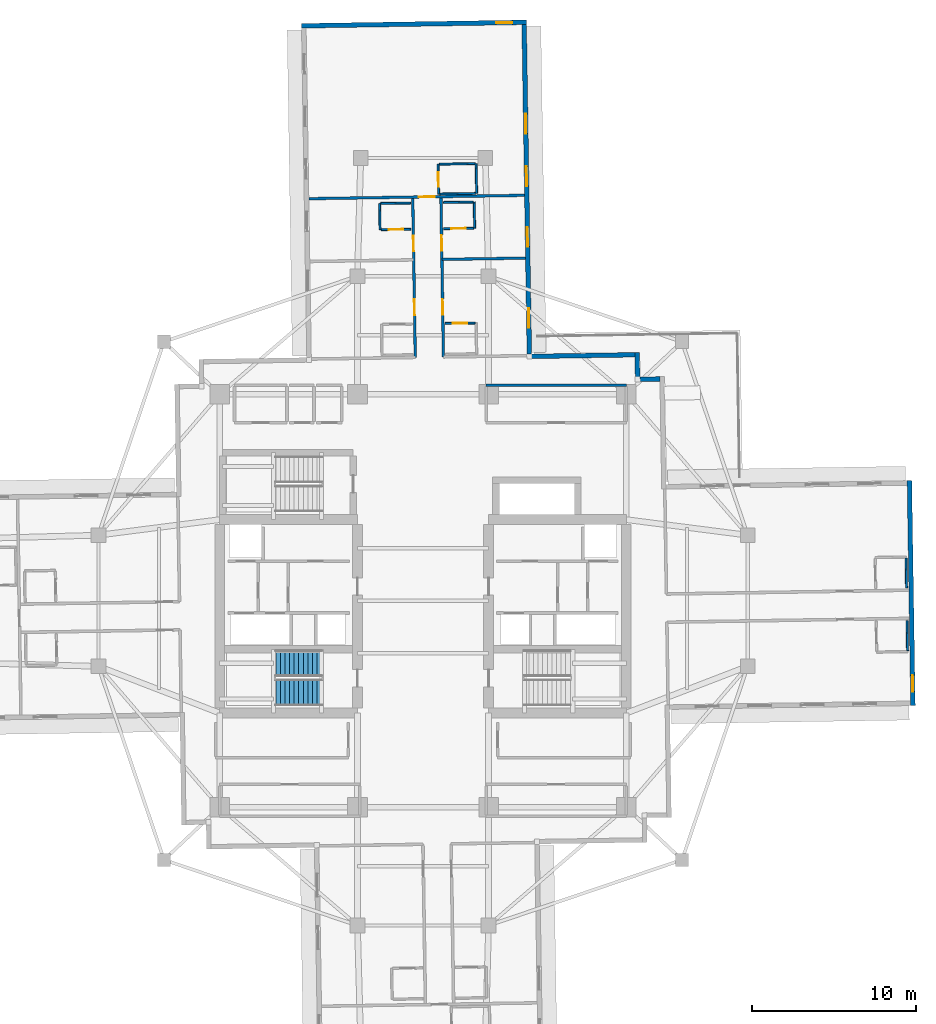
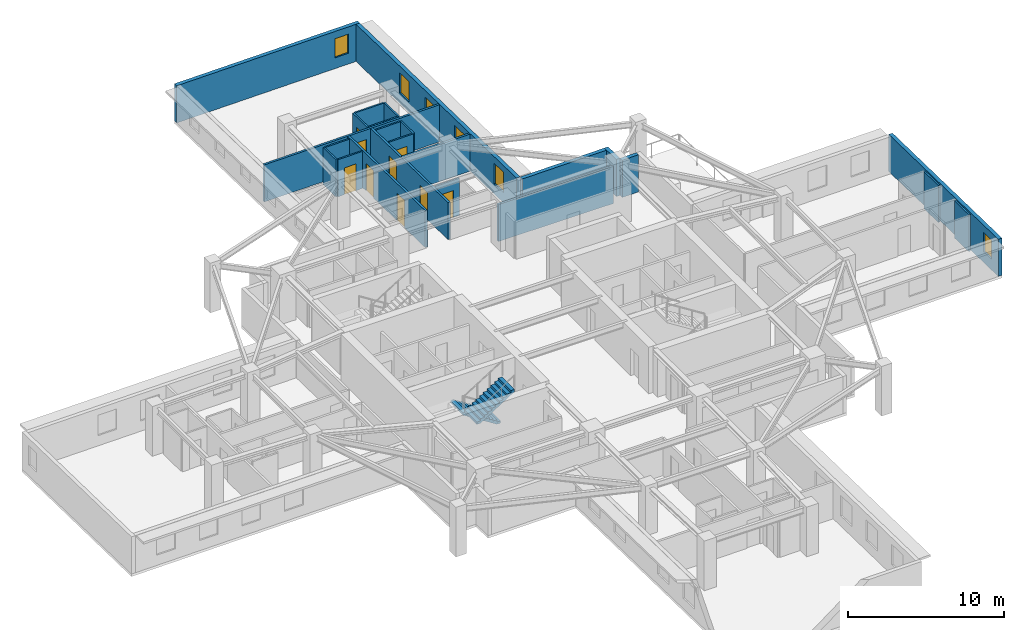
# One storey, part 7 of 13: 24 walls, 9 doors, 6 windows, 2 stair flights, 15 openings, 1 element without a shape of its own.
"""IFC4 building model written with IfcOpenShell, lengths in metres."""

from ifc_helpers import new_model, si_unit, direction, frame, frame_2d, origin, place, context, subcontext, project, spatial, polyline, rectangle, outline, extrude, material, layer, layer_set, type_object, element, fill, aggregate, save


model = new_model("IFC4")

# Units and contexts
model_context = context("Model", 3, precision=1e-05, world=origin(), true_north=direction((0.0, 1.0)))
body_context = subcontext(model_context, "Body", "Model", "MODEL_VIEW")
ifc_project = project(units=[si_unit("LENGTHUNIT", "METRE"), si_unit("AREAUNIT", "SQUARE_METRE"), si_unit("VOLUMEUNIT", "CUBIC_METRE"), si_unit("PLANEANGLEUNIT", "RADIAN"), si_unit("MASSUNIT", "GRAM", prefix="KILO")], contexts=[model_context])

# Site, building, storey
site_placement = place(None, origin())
site = spatial("IfcSite", under=ifc_project, at=site_placement, CompositionType="ELEMENT")
building_placement = place(site_placement, origin())
building = spatial("IfcBuilding", under=site, at=building_placement, Name="Qingluan Cross Belvedere", CompositionType="ELEMENT")
storey_placement = place(building_placement, frame((0.0, 0.0, 187.800048828125)))
storey = spatial("IfcBuildingStorey", under=building, at=storey_placement, Name="L47", CompositionType="ELEMENT", Elevation=187.800048828125)

# Wall
ifc_material_1 = material(Name="Gypsum plasterboard on steel stud acoustic partition", Category="steel")
ifc_layer_1 = layer(ifc_material_1, 0.159912109375, Name="CorridorPartition_160")
ifc_layer_set_1 = layer_set([ifc_layer_1], Name="Gypsum plasterboard on steel stud acoustic partition")
wall_type_1 = type_object("IfcWallType", Name="CorridorPartition_160", PredefinedType="PARTITIONING", material=ifc_layer_set_1)
wall_1_placement = place(storey_placement, frame((3.85009765625, 13.14990234375, 0.0), z_axis=(0.0, 0.0, 1.0), x_axis=(1.0, 0.0, 0.0)))
element("IfcWall", 1, at=wall_1_placement, inside=storey, type_object=wall_type_1, Name="Partition L47:q_ne:N", PredefinedType="PARTITIONING", context=body_context, shape_type="SweptSolid", body=[
    extrude(rectangle(XDim=8.5498046875, YDim=0.159912109375, at=frame_2d((4.27490234375, 0.0))), origin(), (0.0, 0.0, 1.0), 2.909912109375),
])

# Wall, openings, doors
wall_2_placement = place(storey_placement, frame((1.24658203125, 14.871337890625, 0.0), z_axis=(0.0, 0.0, 1.0), x_axis=(-0.015705264399, 0.999876664729, 0.0)))
wall_2 = element("IfcWall", 2, at=wall_2_placement, inside=storey, type_object=wall_type_1, Name="Partition L47:N:c0", PredefinedType="PARTITIONING", context=body_context, shape_type="SweptSolid", body=[
    extrude(rectangle(XDim=9.7001953125, YDim=0.159912109375, at=frame_2d((4.85009765625, 0.0))), origin(), (0.0, 0.0, 1.0), 2.909912109375),
])
opening_1_placement = place(wall_2_placement, frame((2.574951171875, 0.0, 0.0)))
opening_1 = element("IfcOpeningElement", 3, at=opening_1_placement, cuts=wall_2, Name="Opening GD-10", PredefinedType="OPENING", context=body_context, shape_type="SweptSolid", body=[
    extrude(rectangle(XDim=0.9599609375, YDim=2.14990234375, at=frame_2d((0.47998046875, 1.074951171875))), frame((0.0, 0.08984375, 0.0), z_axis=(0.0, -1.0, 0.0), x_axis=(1.0, 0.0, 0.0)), (0.0, 0.0, 1.0), 0.179931640625),
])
opening_2_placement = place(wall_2_placement, frame((6.467041015625, 0.0, 0.0)))
opening_2 = element("IfcOpeningElement", 4, at=opening_2_placement, cuts=wall_2, Name="Opening GD-10", PredefinedType="OPENING", context=body_context, shape_type="SweptSolid", body=[
    extrude(rectangle(XDim=0.9599609375, YDim=2.14990234375, at=frame_2d((0.47998046875, 1.074951171875))), frame((0.0, 0.08984375, 0.0), z_axis=(0.0, -1.0, 0.0), x_axis=(1.0, 0.0, 0.0)), (0.0, 0.0, 1.0), 0.179931640625),
])
ifc_material_2 = material(Name="Timber oak fire-rated acoustic guestroom door", Category="wood")
door_type_1 = type_object("IfcDoorType", Name="GuestEntryDoor_FD60", OperationType="NOTDEFINED", PredefinedType="DOOR", material=ifc_material_2)
door_1_placement = place(opening_1_placement, origin())
door_1 = element("IfcDoor", 5, at=door_1_placement, inside=storey, type_object=door_type_1, Name="Guest entry fire door 4705", OperationType="SINGLE_SWING_RIGHT", OverallHeight=2.14990234375, OverallWidth=0.9599609375, PredefinedType="DOOR", context=body_context, shape_type="SweptSolid", body=[
    extrude(rectangle(XDim=0.9599609375, YDim=2.14990234375, at=frame_2d((0.47998046875, 1.074951171875))), frame((0.0, 0.02490234375, 0.0), z_axis=(0.0, -1.0, 0.0), x_axis=(1.0, 0.0, 0.0)), (0.0, 0.0, 1.0), 0.050048828125),
])
fill(opening_1, door_1)
door_2_placement = place(opening_2_placement, origin())
door_2 = element("IfcDoor", 6, at=door_2_placement, inside=storey, type_object=door_type_1, Name="Guest entry fire door 4706", OperationType="SINGLE_SWING_RIGHT", OverallHeight=2.14990234375, OverallWidth=0.9599609375, PredefinedType="DOOR", context=body_context, shape_type="SweptSolid", body=[
    extrude(rectangle(XDim=0.9599609375, YDim=2.14990234375, at=frame_2d((0.47998046875, 1.074951171875))), frame((0.0, 0.02490234375, 0.0), z_axis=(0.0, -1.0, 0.0), x_axis=(1.0, 0.0, 0.0)), (0.0, 0.0, 1.0), 0.050048828125),
])
fill(opening_2, door_2)

# Wall
wall_3_placement = place(storey_placement, frame((1.153076171875, 20.82080078125, 0.0), z_axis=(0.0, 0.0, 1.0), x_axis=(0.999877084488, 0.015678517629, 0.0)))
element("IfcWall", 7, at=wall_3_placement, inside=storey, type_object=wall_type_1, Name="Partition L47:N:d0_0", PredefinedType="PARTITIONING", context=body_context, shape_type="SweptSolid", body=[
    extrude(rectangle(XDim=5.092041015625, YDim=0.159912109375, at=frame_2d((2.5458984375, 0.0))), origin(), (0.0, 0.0, 1.0), 2.909912109375),
])

# Wall, openings, doors
wall_4_placement = place(storey_placement, frame((-0.47314453125, 14.844482421875, 0.0), z_axis=(0.0, 0.0, 1.0), x_axis=(-0.015705659641, 0.999876658521, 0.0)))
wall_4 = element("IfcWall", 8, at=wall_4_placement, inside=storey, type_object=wall_type_1, Name="Partition L47:N:c1", PredefinedType="PARTITIONING", context=body_context, shape_type="SweptSolid", body=[
    extrude(rectangle(XDim=9.699951171875, YDim=0.159912109375, at=frame_2d((4.85009765625, 0.0))), origin(), (0.0, 0.0, 1.0), 2.909912109375),
])
opening_3_placement = place(wall_4_placement, frame((2.574951171875, 0.0, 0.0)))
opening_3 = element("IfcOpeningElement", 9, at=opening_3_placement, cuts=wall_4, Name="Opening GD-10", PredefinedType="OPENING", context=body_context, shape_type="SweptSolid", body=[
    extrude(rectangle(XDim=0.9599609375, YDim=2.14990234375, at=frame_2d((0.47998046875, 1.074951171875))), frame((0.0, 0.08984375, 0.0), z_axis=(0.0, -1.0, 0.0), x_axis=(1.0, 0.0, 0.0)), (0.0, 0.0, 1.0), 0.179931640625),
])
opening_4_placement = place(wall_4_placement, frame((6.467041015625, 0.0, 0.0)))
opening_4 = element("IfcOpeningElement", 10, at=opening_4_placement, cuts=wall_4, Name="Opening GD-10", PredefinedType="OPENING", context=body_context, shape_type="SweptSolid", body=[
    extrude(rectangle(XDim=0.9599609375, YDim=2.14990234375, at=frame_2d((0.47998046875, 1.074951171875))), frame((0.0, 0.08984375, 0.0), z_axis=(0.0, -1.0, 0.0), x_axis=(1.0, 0.0, 0.0)), (0.0, 0.0, 1.0), 0.179931640625),
])
door_3_placement = place(opening_3_placement, origin())
door_3 = element("IfcDoor", 11, at=door_3_placement, inside=storey, type_object=door_type_1, Name="Guest entry fire door 4707", OperationType="SINGLE_SWING_RIGHT", OverallHeight=2.14990234375, OverallWidth=0.9599609375, PredefinedType="DOOR", context=body_context, shape_type="SweptSolid", body=[
    extrude(rectangle(XDim=0.9599609375, YDim=2.14990234375, at=frame_2d((0.47998046875, 1.074951171875))), frame((0.0, 0.02490234375, 0.0), z_axis=(0.0, -1.0, 0.0), x_axis=(1.0, 0.0, 0.0)), (0.0, 0.0, 1.0), 0.050048828125),
])
fill(opening_3, door_3)
door_4_placement = place(opening_4_placement, origin())
door_4 = element("IfcDoor", 12, at=door_4_placement, inside=storey, type_object=door_type_1, Name="Guest entry fire door 4708", OperationType="SINGLE_SWING_RIGHT", OverallHeight=2.14990234375, OverallWidth=0.9599609375, PredefinedType="DOOR", context=body_context, shape_type="SweptSolid", body=[
    extrude(rectangle(XDim=0.9599609375, YDim=2.14990234375, at=frame_2d((0.47998046875, 1.074951171875))), frame((0.0, 0.02490234375, 0.0), z_axis=(0.0, -1.0, 0.0), x_axis=(1.0, 0.0, 0.0)), (0.0, 0.0, 1.0), 0.050048828125),
])
fill(opening_4, door_4)

# Wall, opening, door
wall_5_placement = place(storey_placement, frame((-6.9580078125, 24.523681640625, 0.0), z_axis=(0.0, 0.0, 1.0), x_axis=(0.999876528878, 0.015713911007, 0.0)))
wall_5 = element("IfcWall", 13, at=wall_5_placement, inside=storey, type_object=wall_type_1, Name="Partition L47:Ncap:in", PredefinedType="PARTITIONING", context=body_context, shape_type="SweptSolid", body=[
    extrude(rectangle(XDim=13.14404296875, YDim=0.159912109375, at=frame_2d((6.572021484375, 0.0))), origin(), (0.0, 0.0, 1.0), 2.909912109375),
])
opening_5_placement = place(wall_5_placement, frame((6.7119140625, 0.0, 0.0)))
opening_5 = element("IfcOpeningElement", 14, at=opening_5_placement, cuts=wall_5, Name="Opening GD-10", PredefinedType="OPENING", context=body_context, shape_type="SweptSolid", body=[
    extrude(rectangle(XDim=0.9599609375, YDim=2.14990234375, at=frame_2d((0.47998046875, 1.074951171875))), frame((0.0, 0.08984375, 0.0), z_axis=(0.0, -1.0, 0.0), x_axis=(1.0, 0.0, 0.0)), (0.0, 0.0, 1.0), 0.179931640625),
])
door_5_placement = place(opening_5_placement, origin())
door_5 = element("IfcDoor", 15, at=door_5_placement, inside=storey, type_object=door_type_1, Name="Presidential suite entrance door L47N", OperationType="SINGLE_SWING_LEFT", OverallHeight=2.14990234375, OverallWidth=0.9599609375, PredefinedType="DOOR", context=body_context, shape_type="SweptSolid", body=[
    extrude(rectangle(XDim=0.9599609375, YDim=2.14990234375, at=frame_2d((0.47998046875, 1.074951171875))), frame((0.0, 0.02490234375, 0.0), z_axis=(0.0, -1.0, 0.0), x_axis=(1.0, 0.0, 0.0)), (0.0, 0.0, 1.0), 0.050048828125),
])
fill(opening_5, door_5)

# Walls
ifc_material_3 = material(Name="Moisture-resistant gypsum board lining")
ifc_layer_2 = layer(ifc_material_3, 0.1201171875, Name="EnsuiteWetPartition_120")
ifc_layer_set_2 = layer_set([ifc_layer_2], Name="Moisture-resistant gypsum board lining")
wall_type_2 = type_object("IfcWallType", Name="EnsuiteWetPartition_120", PredefinedType="PARTITIONING", material=ifc_layer_set_2)
for number, where, z_axis, x_axis, name in (
    (16, (29.4912109375, 0.783203125, 0.0), (0.0, 0.0, 1.0), (-0.015694337248, 0.999876836305, 0.0), "Partition L47:E:bw0_0"),
    (17, (29.55126953125, -3.0361328125, 0.0), (0.0, 0.0, 1.0), (-0.015694337248, 0.999876836305, 0.0), "Partition L47:E:bw1_0"),
):
    element("IfcWall", number, at=place(storey_placement, frame(where, z_axis=z_axis, x_axis=x_axis)), inside=storey, type_object=wall_type_2, Name=name, PredefinedType="PARTITIONING", context=body_context, shape_type="SweptSolid", body=[
        extrude(rectangle(XDim=1.820068359375, YDim=0.1201171875, at=frame_2d((0.91015625, 0.0))), origin(), (0.0, 0.0, 1.0), 2.909912109375),
    ])

# Wall, opening, door
wall_6_placement = place(storey_placement, frame((1.3544921875, 16.913330078125, 0.0), z_axis=(0.0, 0.0, 1.0), x_axis=(0.999876836305, 0.015694337248, 0.0)))
wall_6 = element("IfcWall", 18, at=wall_6_placement, inside=storey, type_object=wall_type_2, Name="Partition L47:N:bs0_0", PredefinedType="PARTITIONING", context=body_context, shape_type="SweptSolid", body=[
    extrude(rectangle(XDim=1.820068359375, YDim=0.1201171875, at=frame_2d((0.91015625, 0.0))), origin(), (0.0, 0.0, 1.0), 2.909912109375),
])
opening_6_placement = place(wall_6_placement, frame((0.469970703125, 0.0, 0.0)))
opening_6 = element("IfcOpeningElement", 19, at=opening_6_placement, cuts=wall_6, Name="Opening BD-09", PredefinedType="OPENING", context=body_context, shape_type="SweptSolid", body=[
    extrude(rectangle(XDim=0.8798828125, YDim=2.10009765625, at=frame_2d((0.43994140625, 1.050048828125))), frame((0.0, 0.070068359375, 0.0), z_axis=(0.0, -1.0, 0.0), x_axis=(1.0, 0.0, 0.0)), (0.0, 0.0, 1.0), 0.14013671875),
])
ifc_material_4 = material(Name="Moisture-sealed timber en-suite door", Category="wood")
door_type_2 = type_object("IfcDoorType", Name="BathroomDoor_880", OperationType="NOTDEFINED", PredefinedType="DOOR", material=ifc_material_4)
door_6_placement = place(opening_6_placement, origin())
door_6 = element("IfcDoor", 20, at=door_6_placement, inside=storey, type_object=door_type_2, Name="Bathroom door 4705", OperationType="SINGLE_SWING_LEFT", OverallHeight=2.10009765625, OverallWidth=0.8798828125, PredefinedType="DOOR", context=body_context, shape_type="SweptSolid", body=[
    extrude(rectangle(XDim=0.8798828125, YDim=2.10009765625, at=frame_2d((0.43994140625, 1.050048828125))), frame((0.0, 0.02490234375, 0.0), z_axis=(0.0, -1.0, 0.0), x_axis=(1.0, 0.0, 0.0)), (0.0, 0.0, 1.0), 0.050048828125),
])
fill(opening_6, door_6)

wall_7_placement = place(storey_placement, frame((1.263671875, 22.692626953125, 0.0), z_axis=(0.0, 0.0, 1.0), x_axis=(0.999876836305, 0.015694337248, 0.0)))
wall_7 = element("IfcWall", 21, at=wall_7_placement, inside=storey, type_object=wall_type_2, Name="Partition L47:N:bs0_1", PredefinedType="PARTITIONING", context=body_context, shape_type="SweptSolid", body=[
    extrude(rectangle(XDim=1.820068359375, YDim=0.1201171875, at=frame_2d((0.91015625, 0.0))), origin(), (0.0, 0.0, 1.0), 2.909912109375),
])
opening_7_placement = place(wall_7_placement, frame((0.469970703125, 0.0, 0.0)))
opening_7 = element("IfcOpeningElement", 22, at=opening_7_placement, cuts=wall_7, Name="Opening BD-09", PredefinedType="OPENING", context=body_context, shape_type="SweptSolid", body=[
    extrude(rectangle(XDim=0.8798828125, YDim=2.10009765625, at=frame_2d((0.43994140625, 1.050048828125))), frame((0.0, 0.070068359375, 0.0), z_axis=(0.0, -1.0, 0.0), x_axis=(1.0, 0.0, 0.0)), (0.0, 0.0, 1.0), 0.14013671875),
])
door_7_placement = place(opening_7_placement, origin())
door_7 = element("IfcDoor", 23, at=door_7_placement, inside=storey, type_object=door_type_2, Name="Bathroom door 4706", OperationType="SINGLE_SWING_LEFT", OverallHeight=2.10009765625, OverallWidth=0.8798828125, PredefinedType="DOOR", context=body_context, shape_type="SweptSolid", body=[
    extrude(rectangle(XDim=0.8798828125, YDim=2.10009765625, at=frame_2d((0.43994140625, 1.050048828125))), frame((0.0, 0.02490234375, 0.0), z_axis=(0.0, -1.0, 0.0), x_axis=(1.0, 0.0, 0.0)), (0.0, 0.0, 1.0), 0.050048828125),
])
fill(opening_7, door_7)

# Walls
wall_8_placement = place(storey_placement, frame((1.238525390625, 24.29248046875, 0.0), z_axis=(0.0, 0.0, 1.0), x_axis=(0.999876836305, 0.015694337248, 0.0)))
element("IfcWall", 24, at=wall_8_placement, inside=storey, type_object=wall_type_2, Name="Partition L47:N:bw0_1", PredefinedType="PARTITIONING", context=body_context, shape_type="SweptSolid", body=[
    extrude(rectangle(XDim=1.820068359375, YDim=0.1201171875, at=frame_2d((0.91015625, 0.0))), origin(), (0.0, 0.0, 1.0), 2.909912109375),
])
wall_9_placement = place(storey_placement, frame((3.1484375, 22.722412109375, 0.0), z_axis=(0.0, 0.0, 1.0), x_axis=(-0.015718448585, 0.999876457556, 0.0)))
element("IfcWall", 25, at=wall_9_placement, inside=storey, type_object=wall_type_2, Name="Partition L47:N:bn0_1", PredefinedType="PARTITIONING", context=body_context, shape_type="SweptSolid", body=[
    extrude(rectangle(XDim=1.599853515625, YDim=0.1201171875, at=frame_2d((0.7998046875, 0.0))), origin(), (0.0, 0.0, 1.0), 2.909912109375),
])

# Wall, opening, door
wall_10_placement = place(storey_placement, frame((-2.555908203125, 22.632568359375, 0.0), z_axis=(0.0, 0.0, 1.0), x_axis=(0.999876836305, 0.015694337248, 0.0)))
wall_10 = element("IfcWall", 26, at=wall_10_placement, inside=storey, type_object=wall_type_2, Name="Partition L47:N:bs1_1", PredefinedType="PARTITIONING", context=body_context, shape_type="SweptSolid", body=[
    extrude(rectangle(XDim=1.820068359375, YDim=0.1201171875, at=frame_2d((0.91015625, 0.0))), origin(), (0.0, 0.0, 1.0), 2.909912109375),
])
opening_8_placement = place(wall_10_placement, frame((0.469970703125, 0.0, 0.0)))
opening_8 = element("IfcOpeningElement", 27, at=opening_8_placement, cuts=wall_10, Name="Opening BD-09", PredefinedType="OPENING", context=body_context, shape_type="SweptSolid", body=[
    extrude(rectangle(XDim=0.8798828125, YDim=2.10009765625, at=frame_2d((0.43994140625, 1.050048828125))), frame((0.0, 0.070068359375, 0.0), z_axis=(0.0, -1.0, 0.0), x_axis=(1.0, 0.0, 0.0)), (0.0, 0.0, 1.0), 0.14013671875),
])
door_8_placement = place(opening_8_placement, origin())
door_8 = element("IfcDoor", 28, at=door_8_placement, inside=storey, type_object=door_type_2, Name="Bathroom door 4708", OperationType="SINGLE_SWING_LEFT", OverallHeight=2.10009765625, OverallWidth=0.8798828125, PredefinedType="DOOR", context=body_context, shape_type="SweptSolid", body=[
    extrude(rectangle(XDim=0.8798828125, YDim=2.10009765625, at=frame_2d((0.43994140625, 1.050048828125))), frame((0.0, 0.02490234375, 0.0), z_axis=(0.0, -1.0, 0.0), x_axis=(1.0, 0.0, 0.0)), (0.0, 0.0, 1.0), 0.050048828125),
])
fill(opening_8, door_8)

# Walls
wall_11_placement = place(storey_placement, frame((-2.580810546875, 24.232421875, 0.0), z_axis=(0.0, 0.0, 1.0), x_axis=(0.999876803258, 0.015696442504, 0.0)))
element("IfcWall", 29, at=wall_11_placement, inside=storey, type_object=wall_type_2, Name="Partition L47:N:bw1_1", PredefinedType="PARTITIONING", context=body_context, shape_type="SweptSolid", body=[
    extrude(rectangle(XDim=1.81982421875, YDim=0.1201171875, at=frame_2d((0.909912109375, 0.0))), origin(), (0.0, 0.0, 1.0), 2.909912109375),
])
wall_12_placement = place(storey_placement, frame((-2.620849609375, 22.631591796875, 0.0), z_axis=(0.0, 0.0, 1.0), x_axis=(-0.015716050513, 0.999876495251, 0.0)))
element("IfcWall", 30, at=wall_12_placement, inside=storey, type_object=wall_type_2, Name="Partition L47:N:bc1_1", PredefinedType="PARTITIONING", context=body_context, shape_type="SweptSolid", body=[
    extrude(rectangle(XDim=1.60009765625, YDim=0.1201171875, at=frame_2d((0.800048828125, 0.0))), origin(), (0.0, 0.0, 1.0), 2.909912109375),
])

# Wall, opening, door
wall_13_placement = place(storey_placement, frame((0.950439453125, 24.80810546875, 0.0), z_axis=(0.0, 0.0, 1.0), x_axis=(-0.015696442504, 0.999876803258, 0.0)))
wall_13 = element("IfcWall", 31, at=wall_13_placement, inside=storey, type_object=wall_type_2, Name="Partition L47:Ncap:bs", PredefinedType="PARTITIONING", context=body_context, shape_type="SweptSolid", body=[
    extrude(rectangle(XDim=1.81982421875, YDim=0.1201171875, at=frame_2d((0.909912109375, 0.0))), origin(), (0.0, 0.0, 1.0), 2.909912109375),
])
opening_9_placement = place(wall_13_placement, frame((0.449951171875, 0.0, 0.0)))
opening_9 = element("IfcOpeningElement", 32, at=opening_9_placement, cuts=wall_13, Name="Opening BD-09", PredefinedType="OPENING", context=body_context, shape_type="SweptSolid", body=[
    extrude(rectangle(XDim=0.8798828125, YDim=2.10009765625, at=frame_2d((0.43994140625, 1.050048828125))), frame((0.0, 0.070068359375, 0.0), z_axis=(0.0, -1.0, 0.0), x_axis=(1.0, 0.0, 0.0)), (0.0, 0.0, 1.0), 0.14013671875),
])
door_9_placement = place(opening_9_placement, origin())
door_9 = element("IfcDoor", 33, at=door_9_placement, inside=storey, type_object=door_type_2, Name="En-suite bathroom door L47N", OperationType="SINGLE_SWING_RIGHT", OverallHeight=2.10009765625, OverallWidth=0.8798828125, PredefinedType="DOOR", context=body_context, shape_type="SweptSolid", body=[
    extrude(rectangle(XDim=0.8798828125, YDim=2.10009765625, at=frame_2d((0.43994140625, 1.050048828125))), frame((0.0, 0.02490234375, 0.0), z_axis=(0.0, -1.0, 0.0), x_axis=(1.0, 0.0, 0.0)), (0.0, 0.0, 1.0), 0.050048828125),
])
fill(opening_9, door_9)

# Walls
wall_14_placement = place(storey_placement, frame((3.270263671875, 24.844482421875, 0.0), z_axis=(0.0, 0.0, 1.0), x_axis=(-0.015694337248, 0.999876836305, 0.0)))
element("IfcWall", 34, at=wall_14_placement, inside=storey, type_object=wall_type_2, Name="Partition L47:Ncap:bb", PredefinedType="PARTITIONING", context=body_context, shape_type="SweptSolid", body=[
    extrude(rectangle(XDim=1.820068359375, YDim=0.1201171875, at=frame_2d((0.91015625, 0.0))), origin(), (0.0, 0.0, 1.0), 2.909912109375),
])
for number, where, z_axis, x_axis, name in (
    (35, (1.0205078125, 24.80908203125, 0.0), (0.0, 0.0, 1.0), (0.999877075733, 0.015679076008, 0.0), "Partition L47:Ncap:ba"),
    (36, (0.991943359375, 26.62890625, 0.0), (0.0, 0.0, 1.0), (0.999877075733, 0.015679076008, 0.0), "Partition L47:Ncap:bn"),
):
    element("IfcWall", number, at=place(storey_placement, frame(where, z_axis=z_axis, x_axis=x_axis)), inside=storey, type_object=wall_type_2, Name=name, PredefinedType="PARTITIONING", context=body_context, shape_type="SweptSolid", body=[
        extrude(rectangle(XDim=2.179931640625, YDim=0.1201171875, at=frame_2d((1.08984375, 0.0))), origin(), (0.0, 0.0, 1.0), 2.909912109375),
    ])

# Wall, opening, window
ifc_material_5 = material(Name="Precast concrete C45", Category="concrete")
ifc_layer_3 = layer(ifc_material_5, 0.280029296875, Name="PrecastFacadeWall_280")
ifc_layer_set_3 = layer_set([ifc_layer_3], Name="Precast concrete C45")
wall_type_3 = type_object("IfcWallType", Name="PrecastFacadeWall_280", PredefinedType="STANDARD", material=ifc_layer_set_3)
wall_15_placement = place(storey_placement, frame((29.884033203125, -6.391357421875, 0.0), z_axis=(0.0, 0.0, 1.0), x_axis=(-0.015694809807, 0.999876828887, 0.0)))
wall_15 = element("IfcWall", 37, at=wall_15_placement, inside=storey, type_object=wall_type_3, Name="Arm tip precast facade wall L47-E", PredefinedType="STANDARD", context=body_context, shape_type="SweptSolid", body=[
    extrude(rectangle(XDim=13.719970703125, YDim=0.280029296875, at=frame_2d((6.85986328125, 0.0))), origin(), (0.0, 0.0, 1.0), 2.919921875),
])
opening_10_placement = place(wall_15_placement, frame((0.85009765625, 0.0, 0.85009765625)))
opening_10 = element("IfcOpeningElement", 38, at=opening_10_placement, cuts=wall_15, Name="Opening W-03", PredefinedType="OPENING", context=body_context, shape_type="SweptSolid", body=[
    extrude(rectangle(XDim=1.0, YDim=1.5, at=frame_2d((0.5, 0.75))), frame((0.0, 0.14990234375, 0.0), z_axis=(0.0, -1.0, 0.0), x_axis=(1.0, 0.0, 0.0)), (0.0, 0.0, 1.0), 0.300048828125),
])
ifc_material_6 = material(Name="Thermally broken triple Low-E glass in aluminium frame", Category="aluminium")
window_type_1 = type_object("IfcWindowType", Name="TriApexWin_1000x1500", PartitioningType="SINGLE_PANEL", PredefinedType="WINDOW", material=ifc_material_6)
window_1_placement = place(opening_10_placement, origin())
window_1 = element("IfcWindow", 39, at=window_1_placement, inside=storey, type_object=window_type_1, Name="Arm tip triangular window L47-E", OverallHeight=1.5, OverallWidth=1.0, PartitioningType="SINGLE_PANEL", PredefinedType="WINDOW", context=body_context, shape_type="SweptSolid", body=[
    extrude(rectangle(XDim=1.0, YDim=1.5, at=frame_2d((0.5, 0.75))), frame((0.0, 0.030029296875, 0.0), z_axis=(0.0, -1.0, 0.0), x_axis=(1.0, 0.0, 0.0)), (0.0, 0.0, 1.0), 0.06005859375),
])
fill(opening_10, window_1)

# Wall, openings, windows
wall_16_placement = place(storey_placement, frame((6.484619140625, 15.043701171875, 0.0), z_axis=(0.0, 0.0, 1.0), x_axis=(-0.01571739401, 0.999876474133, 0.0)))
wall_16 = element("IfcWall", 40, at=wall_16_placement, inside=storey, type_object=wall_type_3, Name="Facade wall L47-NA", PredefinedType="STANDARD", context=body_context, shape_type="SweptSolid", body=[
    extrude(rectangle(XDim=20.099853515625, YDim=0.280029296875, at=frame_2d((10.0498046875, 0.0))), origin(), (0.0, 0.0, 1.0), 2.919921875),
])
opening_11_placement = place(wall_16_placement, frame((1.60009765625, 0.0, 0.800048828125)))
opening_11 = element("IfcOpeningElement", 41, at=opening_11_placement, cuts=wall_16, Name="Opening W-02", PredefinedType="OPENING", context=body_context, shape_type="SweptSolid", body=[
    extrude(rectangle(XDim=1.199951171875, YDim=1.60009765625, at=frame_2d((0.60009765625, 0.800048828125))), frame((0.0, 0.14990234375, 0.0), z_axis=(0.0, -1.0, 0.0), x_axis=(1.0, 0.0, 0.0)), (0.0, 0.0, 1.0), 0.300048828125),
])
opening_12_placement = place(wall_16_placement, frame((6.550048828125, 0.0, 0.800048828125)))
opening_12 = element("IfcOpeningElement", 42, at=opening_12_placement, cuts=wall_16, Name="Opening W-02", PredefinedType="OPENING", context=body_context, shape_type="SweptSolid", body=[
    extrude(rectangle(XDim=1.199951171875, YDim=1.60009765625, at=frame_2d((0.60009765625, 0.800048828125))), frame((0.0, 0.14990234375, 0.0), z_axis=(0.0, -1.0, 0.0), x_axis=(1.0, 0.0, 0.0)), (0.0, 0.0, 1.0), 0.300048828125),
])
opening_13_placement = place(wall_16_placement, frame((10.25, 0.0, 0.800048828125)))
opening_13 = element("IfcOpeningElement", 43, at=opening_13_placement, cuts=wall_16, Name="Opening W-02", PredefinedType="OPENING", context=body_context, shape_type="SweptSolid", body=[
    extrude(rectangle(XDim=1.199951171875, YDim=1.60009765625, at=frame_2d((0.60009765625, 0.800048828125))), frame((0.0, 0.14990234375, 0.0), z_axis=(0.0, -1.0, 0.0), x_axis=(1.0, 0.0, 0.0)), (0.0, 0.0, 1.0), 0.300048828125),
])
opening_14_placement = place(wall_16_placement, frame((13.449951171875, 0.0, 0.800048828125)))
opening_14 = element("IfcOpeningElement", 44, at=opening_14_placement, cuts=wall_16, Name="Opening W-02", PredefinedType="OPENING", context=body_context, shape_type="SweptSolid", body=[
    extrude(rectangle(XDim=1.199951171875, YDim=1.60009765625, at=frame_2d((0.60009765625, 0.800048828125))), frame((0.0, 0.14990234375, 0.0), z_axis=(0.0, -1.0, 0.0), x_axis=(1.0, 0.0, 0.0)), (0.0, 0.0, 1.0), 0.300048828125),
])
ifc_material_7 = material(Name="Thermally broken triple Low-E glass in aluminium frame", Category="aluminium")
window_type_2 = type_object("IfcWindowType", Name="TriRibbonWin_1200x1600", PartitioningType="SINGLE_PANEL", PredefinedType="WINDOW", material=ifc_material_7)
window_2_placement = place(opening_11_placement, origin())
window_2 = element("IfcWindow", 45, at=window_2_placement, inside=storey, type_object=window_type_2, Name="Ribbon window L47-NA-1", OverallHeight=1.60009765625, OverallWidth=1.199951171875, PartitioningType="SINGLE_PANEL", PredefinedType="WINDOW", context=body_context, shape_type="SweptSolid", body=[
    extrude(rectangle(XDim=1.199951171875, YDim=1.60009765625, at=frame_2d((0.60009765625, 0.800048828125))), frame((0.0, 0.030029296875, 0.0), z_axis=(0.0, -1.0, 0.0), x_axis=(1.0, 0.0, 0.0)), (0.0, 0.0, 1.0), 0.06005859375),
])
fill(opening_11, window_2)
window_3_placement = place(opening_12_placement, origin())
window_3 = element("IfcWindow", 46, at=window_3_placement, inside=storey, type_object=window_type_2, Name="Ribbon window L47-NA-2", OverallHeight=1.60009765625, OverallWidth=1.199951171875, PartitioningType="SINGLE_PANEL", PredefinedType="WINDOW", context=body_context, shape_type="SweptSolid", body=[
    extrude(rectangle(XDim=1.199951171875, YDim=1.60009765625, at=frame_2d((0.60009765625, 0.800048828125))), frame((0.0, 0.030029296875, 0.0), z_axis=(0.0, -1.0, 0.0), x_axis=(1.0, 0.0, 0.0)), (0.0, 0.0, 1.0), 0.06005859375),
])
fill(opening_12, window_3)
window_4_placement = place(opening_13_placement, origin())
window_4 = element("IfcWindow", 47, at=window_4_placement, inside=storey, type_object=window_type_2, Name="Ribbon window L47-NA-3", OverallHeight=1.60009765625, OverallWidth=1.199951171875, PartitioningType="SINGLE_PANEL", PredefinedType="WINDOW", context=body_context, shape_type="SweptSolid", body=[
    extrude(rectangle(XDim=1.199951171875, YDim=1.60009765625, at=frame_2d((0.60009765625, 0.800048828125))), frame((0.0, 0.030029296875, 0.0), z_axis=(0.0, -1.0, 0.0), x_axis=(1.0, 0.0, 0.0)), (0.0, 0.0, 1.0), 0.06005859375),
])
fill(opening_13, window_4)
window_5_placement = place(opening_14_placement, origin())
window_5 = element("IfcWindow", 48, at=window_5_placement, inside=storey, type_object=window_type_2, Name="Ribbon window L47-NA-4", OverallHeight=1.60009765625, OverallWidth=1.199951171875, PartitioningType="SINGLE_PANEL", PredefinedType="WINDOW", context=body_context, shape_type="SweptSolid", body=[
    extrude(rectangle(XDim=1.199951171875, YDim=1.60009765625, at=frame_2d((0.60009765625, 0.800048828125))), frame((0.0, 0.030029296875, 0.0), z_axis=(0.0, -1.0, 0.0), x_axis=(1.0, 0.0, 0.0)), (0.0, 0.0, 1.0), 0.06005859375),
])
fill(opening_14, window_5)

# Wall, opening, window
wall_17_placement = place(storey_placement, frame((6.306640625, 35.283447265625, 0.0), z_axis=(0.0, 0.0, 1.0), x_axis=(-0.999876549481, -0.015712599986, 0.0)))
wall_17 = element("IfcWall", 49, at=wall_17_placement, inside=storey, type_object=wall_type_3, Name="Arm tip precast facade wall L47-N", PredefinedType="STANDARD", context=body_context, shape_type="SweptSolid", body=[
    extrude(rectangle(XDim=13.719970703125, YDim=0.280029296875, at=frame_2d((6.85986328125, 0.0))), origin(), (0.0, 0.0, 1.0), 2.919921875),
])
opening_15_placement = place(wall_17_placement, frame((0.85009765625, 0.0, 0.85009765625)))
opening_15 = element("IfcOpeningElement", 50, at=opening_15_placement, cuts=wall_17, Name="Opening W-03", PredefinedType="OPENING", context=body_context, shape_type="SweptSolid", body=[
    extrude(rectangle(XDim=1.0, YDim=1.5, at=frame_2d((0.5, 0.75))), frame((0.0, 0.14990234375, 0.0), z_axis=(0.0, -1.0, 0.0), x_axis=(1.0, 0.0, 0.0)), (0.0, 0.0, 1.0), 0.300048828125),
])
window_6_placement = place(opening_15_placement, origin())
window_6 = element("IfcWindow", 51, at=window_6_placement, inside=storey, type_object=window_type_1, Name="Arm tip triangular window L47-N", OverallHeight=1.5, OverallWidth=1.0, PartitioningType="SINGLE_PANEL", PredefinedType="WINDOW", context=body_context, shape_type="SweptSolid", body=[
    extrude(rectangle(XDim=1.0, YDim=1.5, at=frame_2d((0.5, 0.75))), frame((0.0, 0.030029296875, 0.0), z_axis=(0.0, -1.0, 0.0), x_axis=(1.0, 0.0, 0.0)), (0.0, 0.0, 1.0), 0.06005859375),
])
fill(opening_15, window_6)

# Walls
wall_18_placement = place(storey_placement, frame((14.44921875, 13.528564453125, 0.0), z_axis=(0.0, 0.0, 1.0), x_axis=(-0.999878147354, -0.015610587569, 0.0)))
element("IfcWall", 52, at=wall_18_placement, inside=storey, type_object=wall_type_3, Name="Corner wall L47-NE2", PredefinedType="STANDARD", context=body_context, shape_type="SweptSolid", body=[
    extrude(rectangle(XDim=1.219970703125, YDim=0.280029296875, at=frame_2d((0.60986328125, 0.0))), origin(), (0.0, 0.0, 1.0), 2.919921875),
])
wall_19_placement = place(storey_placement, frame((13.08740234375, 13.647216796875, 0.0), z_axis=(0.0, 0.0, 1.0), x_axis=(-0.015785793208, 0.999875396603, 0.0)))
element("IfcWall", 53, at=wall_19_placement, inside=storey, type_object=wall_type_3, Name="Corner wall L47-NE3", PredefinedType="STANDARD", context=body_context, shape_type="SweptSolid", body=[
    extrude(rectangle(XDim=1.500244140625, YDim=0.280029296875, at=frame_2d((0.75, 0.0))), origin(), (0.0, 0.0, 1.0), 2.919921875),
])
wall_20_placement = place(storey_placement, frame((12.92578125, 15.0048828125, 0.0), z_axis=(0.0, 0.0, 1.0), x_axis=(-0.999876823822, -0.015695132501, 0.0)))
element("IfcWall", 54, at=wall_20_placement, inside=storey, type_object=wall_type_3, Name="Corner wall L47-NE4", PredefinedType="STANDARD", context=body_context, shape_type="SweptSolid", body=[
    extrude(rectangle(XDim=6.2998046875, YDim=0.280029296875, at=frame_2d((3.14990234375, 0.0))), origin(), (0.0, 0.0, 1.0), 2.919921875),
])

# Stair, stair flights
ifc_material_8 = material(Name="Concrete C40", Category="concrete")
stair_type = type_object("IfcStairType", Name="CoreDoglegStair_1620", PredefinedType="HALF_TURN_STAIR", material=ifc_material_8)
stair_placement = place(storey_placement, origin())
stair = element("IfcStair", 55, at=stair_placement, inside=storey, type_object=stair_type, Name="L47 ST1", PredefinedType="HALF_TURN_STAIR")
ifc_material_9 = material(Name="Concrete C40", Category="concrete")
ifc_layer_4 = layer(ifc_material_9, 0.179931640625, Name="StairFlight_RC180")
ifc_layer_set_4 = layer_set([ifc_layer_4], Name="Concrete C40")
stair_flight_type = type_object("IfcStairFlightType", Name="StairFlight_RC180", PredefinedType="STRAIGHT", material=ifc_layer_set_4)
stair_flight_1_placement = place(storey_placement, frame((-6.179931640625, -3.81005859375, 0.0), z_axis=(0.0, 0.0, 1.0), x_axis=(-1.0, 0.0, 0.0)))
stair_flight_1 = element("IfcStairFlight", 56, at=stair_flight_1_placement, type_object=stair_flight_type, Name="ST1 flight 1", NumberOfRisers=11, NumberOfTreads=10, PredefinedType="STRAIGHT", RiserHeight=0.177272727, TreadLength=0.28, context=body_context, shape_type="SweptSolid", body=[
    extrude(outline(polyline([(0.0, 0.0), (0.0, 0.17724609375), (0.280029296875, 0.17724609375), (0.280029296875, 0.3544921875), (0.56005859375, 0.3544921875), (0.56005859375, 0.53173828125), (0.840087890625, 0.53173828125), (0.840087890625, 0.708984375), (1.1201171875, 0.708984375), (1.1201171875, 0.886474609375), (1.39990234375, 0.886474609375), (1.39990234375, 1.063720703125), (1.679931640625, 1.063720703125), (1.679931640625, 1.240966796875), (1.9599609375, 1.240966796875), (1.9599609375, 1.418212890625), (2.239990234375, 1.418212890625), (2.239990234375, 1.595458984375), (2.52001953125, 1.595458984375), (2.52001953125, 1.772705078125), (2.800048828125, 1.772705078125), (2.800048828125, 1.949951171875), (2.800048828125, 1.59521484375), (0.2802734375, 0.0), (0.0, 0.0)])), frame((0.0, 0.81005859375, 0.0), z_axis=(0.0, -1.0, 0.0), x_axis=(1.0, 0.0, 0.0)), (0.0, 0.0, 1.0), 1.6201171875),
])
stair_flight_2_placement = place(storey_placement, frame((-8.97998046875, -5.590087890625, 1.949951171875), z_axis=(0.0, 0.0, 1.0), x_axis=(1.0, 0.0, 0.0)))
stair_flight_2 = element("IfcStairFlight", 57, at=stair_flight_2_placement, type_object=stair_flight_type, Name="ST1 flight 2", NumberOfRisers=11, NumberOfTreads=10, PredefinedType="STRAIGHT", RiserHeight=0.177272727, TreadLength=0.28, context=body_context, shape_type="SweptSolid", body=[
    extrude(outline(polyline([(0.0, 0.0), (0.0, 0.17724609375), (0.280029296875, 0.17724609375), (0.280029296875, 0.3544921875), (0.56005859375, 0.3544921875), (0.56005859375, 0.53173828125), (0.840087890625, 0.53173828125), (0.840087890625, 0.708984375), (1.1201171875, 0.708984375), (1.1201171875, 0.886474609375), (1.39990234375, 0.886474609375), (1.39990234375, 1.063720703125), (1.679931640625, 1.063720703125), (1.679931640625, 1.240966796875), (1.9599609375, 1.240966796875), (1.9599609375, 1.418212890625), (2.239990234375, 1.418212890625), (2.239990234375, 1.595458984375), (2.52001953125, 1.595458984375), (2.52001953125, 1.772705078125), (2.800048828125, 1.772705078125), (2.800048828125, 1.949951171875), (2.800048828125, 1.59521484375), (0.2802734375, 0.0), (0.0, 0.0)])), frame((0.0, 0.81005859375, 0.0), z_axis=(0.0, -1.0, 0.0), x_axis=(1.0, 0.0, 0.0)), (0.0, 0.0, 1.0), 1.6201171875),
])
aggregate(stair, [stair_flight_1, stair_flight_2])

save(model, "model.ifc")
